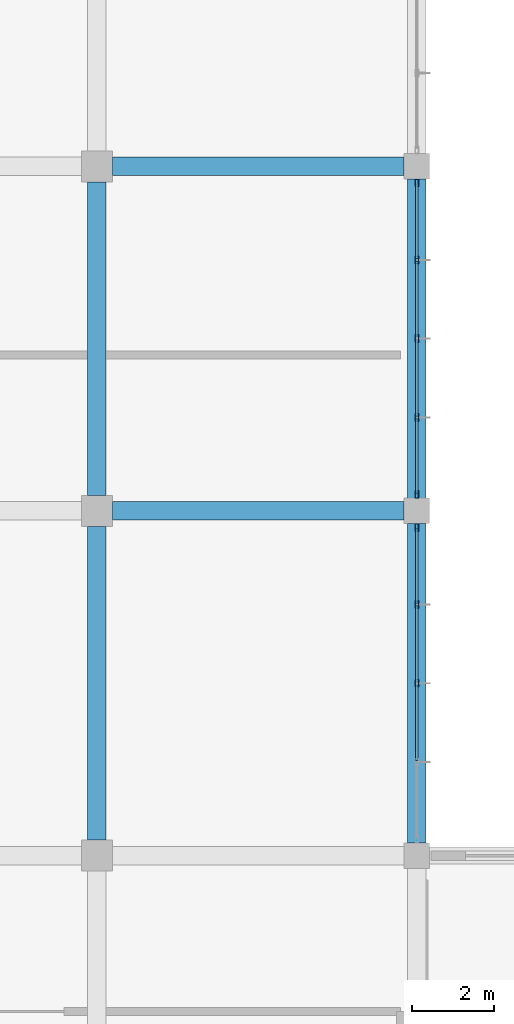
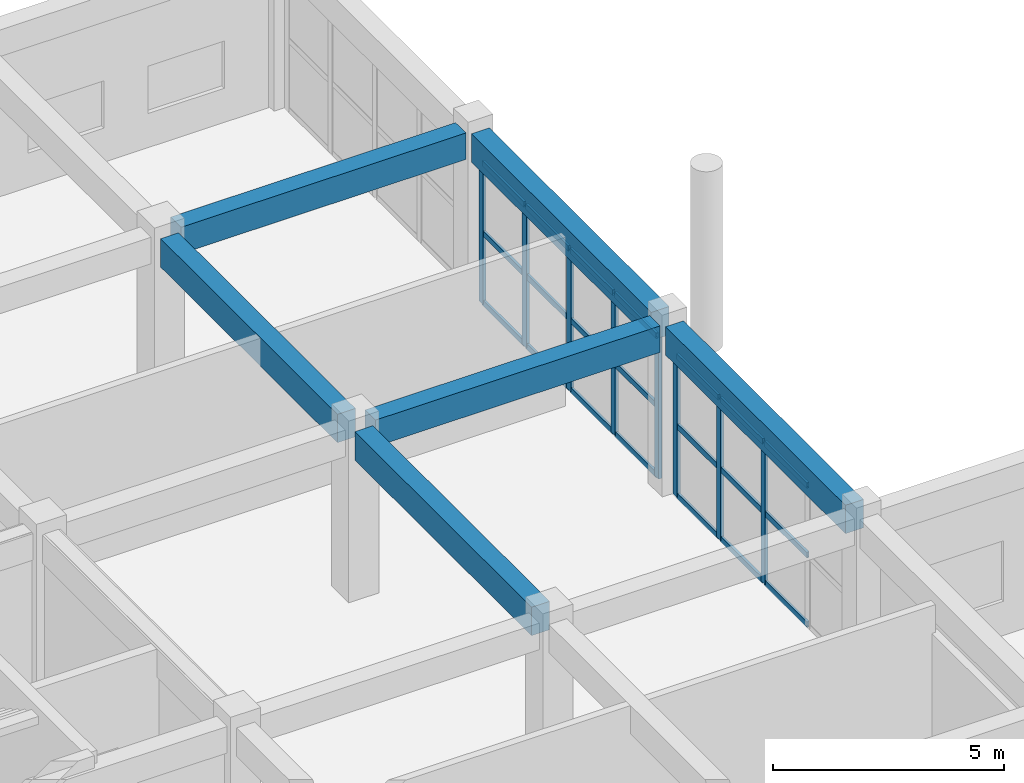
# One storey, part 106 of 167: 29 members, 6 beams, 2 elements without a shape of their own.
"""IFC4 building model written with IfcOpenShell, lengths in metres."""

from ifc_helpers import new_model, si_unit, direction, frame, origin, origin_2d, place, context, subcontext, project, spatial, rectangle, hollow_rectangle, extrude, material, layer, layer_set, material_profile, profile_set, type_object, element, aggregate, save


model = new_model("IFC4")

# Units and contexts
model_context = context("Model", 3, precision=1e-05, world=origin(), true_north=direction((0.0, 1.0)))
body_context = subcontext(model_context, "Body", "Model", "MODEL_VIEW")
ifc_project = project(units=[si_unit("LENGTHUNIT", "METRE"), si_unit("AREAUNIT", "SQUARE_METRE"), si_unit("VOLUMEUNIT", "CUBIC_METRE"), si_unit("PLANEANGLEUNIT", "RADIAN"), si_unit("MASSUNIT", "GRAM", prefix="KILO")], contexts=[model_context])

# Site, building, storey
site_placement = place(None, origin())
site = spatial("IfcSite", under=ifc_project, at=site_placement, CompositionType="ELEMENT")
building_placement = place(site_placement, origin())
building = spatial("IfcBuilding", under=site, at=building_placement, Name="Zizhar Promenade General Hospital", CompositionType="ELEMENT")
storey_placement = place(building_placement, frame((0.0, 0.0, 9.60009765625)))
storey = spatial("IfcBuildingStorey", under=building, at=storey_placement, Name="L02", CompositionType="ELEMENT", Elevation=9.60009765625)

# Beams
ifc_material_1 = material(Name="Concrete C35/45", Category="concrete")
ifc_material_profile_1 = material_profile(ifc_material_1, rectangle(XDim=0.449951171875, YDim=0.699951171875, at=origin_2d()))
ifc_profile_set_1 = profile_set([ifc_material_profile_1], Name="Concrete C35/45")
beam_type_1 = type_object("IfcBeamType", Name="BM-RC-450x700", PredefinedType="BEAM", material=ifc_profile_set_1)
for number, where, z_axis, x_axis, name in (
    (1, (125.175048828125, 117.60009765625, 4.119873046875), (1.0, 0.0, 0.0), (0.0, 1.0, 0.0), "Grid Beam X L02 (16-14)"),
    (2, (125.175048828125, 126.0, 4.119873046875), (1.0, 0.0, 0.0), (0.0, 1.0, 0.0), "Grid Beam X L02 (16-15)"),
):
    element("IfcBeam", number, at=place(storey_placement, frame(where, z_axis=z_axis, x_axis=x_axis)), inside=storey, type_object=beam_type_1, Name=name, PredefinedType="BEAM", context=body_context, shape_type="SweptSolid", body=[
        extrude(rectangle(XDim=0.449951171875, YDim=0.699951171875, at=origin_2d()), origin(), (0.0, 0.0, 1.0), 7.114990234375),
    ])
ifc_material_2 = material(Name="Concrete C35/45", Category="concrete")
ifc_material_profile_2 = material_profile(ifc_material_2, rectangle(XDim=0.449951171875, YDim=0.75, at=origin_2d()))
ifc_profile_set_2 = profile_set([ifc_material_profile_2], Name="Concrete C35/45")
beam_type_2 = type_object("IfcBeamType", Name="BM-RC-450x750", PredefinedType="BEAM", material=ifc_profile_set_2)
beam_1_placement = place(storey_placement, frame((124.800048828125, 109.574951171875, 4.094970703125), z_axis=(0.0, 1.0, 0.0), x_axis=(-1.0, 0.0, 0.0)))
element("IfcBeam", 3, at=beam_1_placement, inside=storey, type_object=beam_type_2, Name="Grid Beam Y L02 (16-13)", PredefinedType="BEAM", context=body_context, shape_type="SweptSolid", body=[
    extrude(rectangle(XDim=0.449951171875, YDim=0.75, at=origin_2d()), origin(), (0.0, 0.0, 1.0), 7.650146484375),
])
beam_2_placement = place(storey_placement, frame((124.800048828125, 117.97509765625, 4.094970703125), z_axis=(0.0, 1.0, 0.0), x_axis=(-1.0, 0.0, 0.0)))
element("IfcBeam", 4, at=beam_2_placement, inside=storey, type_object=beam_type_2, Name="Grid Beam Y L02 (16-14)", PredefinedType="BEAM", context=body_context, shape_type="SweptSolid", body=[
    extrude(rectangle(XDim=0.449951171875, YDim=0.75, at=origin_2d()), origin(), (0.0, 0.0, 1.0), 7.64990234375),
])
for number, where, z_axis, x_axis, name in (
    (5, (132.60009765625, 109.510009765625, 4.094970703125), (0.0, 1.0, 0.0), (-1.0, 0.0, 0.0), "Grid Beam Y L02 (17-13)"),
    (6, (132.60009765625, 117.909912109375, 4.094970703125), (0.0, 1.0, 0.0), (-1.0, 0.0, 0.0), "Grid Beam Y L02 (17-14)"),
):
    element("IfcBeam", number, at=place(storey_placement, frame(where, z_axis=z_axis, x_axis=x_axis)), inside=storey, type_object=beam_type_2, Name=name, PredefinedType="BEAM", context=body_context, shape_type="SweptSolid", body=[
        extrude(rectangle(XDim=0.449951171875, YDim=0.75, at=origin_2d()), origin(), (0.0, 0.0, 1.0), 7.780029296875),
    ])

# Curtain wall, members
ifc_material_3 = material(Name="Anodised aluminium 6063-T6 and low-E glass", Category="aluminium")
ifc_layer = layer(ifc_material_3, 0.159912109375)
ifc_layer_set = layer_set([ifc_layer], Name="Anodised aluminium 6063-T6 and low-E glass")
curtain_wall_type = type_object("IfcCurtainWallType", Name="CW-DT-MOD1", PredefinedType="NOTDEFINED", material=ifc_layer_set)
curtain_wall_1_placement = place(storey_placement, origin())
curtain_wall_1 = element("IfcCurtainWall", 7, at=curtain_wall_1_placement, inside=storey, type_object=curtain_wall_type, Name="Surgical East Glazed Curtain Wall L02-13", PredefinedType="NOTDEFINED")
ifc_material_4 = material(Name="Anodised aluminium 6063-T6", Category="aluminium")
ifc_material_profile_3 = material_profile(ifc_material_4, hollow_rectangle(XDim=0.080078125, YDim=0.179931640625, WallThickness=0.0048828125, at=origin_2d()))
ifc_profile_set_3 = profile_set([ifc_material_profile_3], Name="Anodised aluminium 6063-T6")
member_type_1 = type_object("IfcMemberType", Name="CWM-ALU-180x80", PredefinedType="MULLION", material=ifc_profile_set_3)
member_1_placement = place(storey_placement, frame((132.60009765625, 117.199951171875, 0.0), z_axis=(0.0, 0.0, 1.0), x_axis=(1.0, 0.0, 0.0)))
member_1 = element("IfcMember", 8, at=member_1_placement, type_object=member_type_1, Name="CW-07 mullion 1", PredefinedType="MULLION", context=body_context, shape_type="SweptSolid", body=[
    extrude(hollow_rectangle(XDim=0.080078125, YDim=0.179931640625, WallThickness=0.0048828125, at=origin_2d()), origin(), (0.0, 0.0, 1.0), 3.72998046875),
])
member_2_placement = place(storey_placement, frame((132.60009765625, 115.320068359375, 0.0), z_axis=(0.0, 0.0, 1.0), x_axis=(1.0, 0.0, 0.0)))
member_2 = element("IfcMember", 9, at=member_2_placement, type_object=member_type_1, Name="CW-07 mullion 2", PredefinedType="MULLION", context=body_context, shape_type="SweptSolid", body=[
    extrude(hollow_rectangle(XDim=0.080078125, YDim=0.179931640625, WallThickness=0.0048828125, at=origin_2d()), origin(), (0.0, 0.0, 1.0), 3.72998046875),
])
member_3_placement = place(storey_placement, frame((132.60009765625, 113.39990234375, 0.0), z_axis=(0.0, 0.0, 1.0), x_axis=(1.0, 0.0, 0.0)))
member_3 = element("IfcMember", 10, at=member_3_placement, type_object=member_type_1, Name="CW-07 mullion 3", PredefinedType="MULLION", context=body_context, shape_type="SweptSolid", body=[
    extrude(hollow_rectangle(XDim=0.080078125, YDim=0.179931640625, WallThickness=0.0048828125, at=origin_2d()), origin(), (0.0, 0.0, 1.0), 3.72998046875),
])

curtain_wall_2_placement = place(storey_placement, origin())
curtain_wall_2 = element("IfcCurtainWall", 11, at=curtain_wall_2_placement, inside=storey, type_object=curtain_wall_type, Name="Surgical East Glazed Curtain Wall L02-14", PredefinedType="NOTDEFINED")
member_4_placement = place(storey_placement, frame((132.60009765625, 125.60009765625, 0.0), z_axis=(0.0, 0.0, 1.0), x_axis=(1.0, 0.0, 0.0)))
member_4 = element("IfcMember", 12, at=member_4_placement, type_object=member_type_1, Name="CW-07 mullion 1", PredefinedType="MULLION", context=body_context, shape_type="SweptSolid", body=[
    extrude(hollow_rectangle(XDim=0.080078125, YDim=0.179931640625, WallThickness=0.0048828125, at=origin_2d()), origin(), (0.0, 0.0, 1.0), 3.72998046875),
])
member_5_placement = place(storey_placement, frame((132.60009765625, 123.719970703125, 0.0), z_axis=(0.0, 0.0, 1.0), x_axis=(1.0, 0.0, 0.0)))
member_5 = element("IfcMember", 13, at=member_5_placement, type_object=member_type_1, Name="CW-07 mullion 2", PredefinedType="MULLION", context=body_context, shape_type="SweptSolid", body=[
    extrude(hollow_rectangle(XDim=0.080078125, YDim=0.179931640625, WallThickness=0.0048828125, at=origin_2d()), origin(), (0.0, 0.0, 1.0), 3.72998046875),
])
member_6_placement = place(storey_placement, frame((132.60009765625, 121.800048828125, 0.0), z_axis=(0.0, 0.0, 1.0), x_axis=(1.0, 0.0, 0.0)))
member_6 = element("IfcMember", 14, at=member_6_placement, type_object=member_type_1, Name="CW-07 mullion 3", PredefinedType="MULLION", context=body_context, shape_type="SweptSolid", body=[
    extrude(hollow_rectangle(XDim=0.080078125, YDim=0.179931640625, WallThickness=0.0048828125, at=origin_2d()), origin(), (0.0, 0.0, 1.0), 3.72998046875),
])
member_7_placement = place(storey_placement, frame((132.60009765625, 119.8798828125, 0.0), z_axis=(0.0, 0.0, 1.0), x_axis=(1.0, 0.0, 0.0)))
member_7 = element("IfcMember", 15, at=member_7_placement, type_object=member_type_1, Name="CW-07 mullion 4", PredefinedType="MULLION", context=body_context, shape_type="SweptSolid", body=[
    extrude(hollow_rectangle(XDim=0.080078125, YDim=0.179931640625, WallThickness=0.0048828125, at=origin_2d()), origin(), (0.0, 0.0, 1.0), 3.72998046875),
])
member_8_placement = place(storey_placement, frame((132.60009765625, 118.0, 0.0), z_axis=(0.0, 0.0, 1.0), x_axis=(1.0, 0.0, 0.0)))
member_8 = element("IfcMember", 16, at=member_8_placement, type_object=member_type_1, Name="CW-07 mullion 5", PredefinedType="MULLION", context=body_context, shape_type="SweptSolid", body=[
    extrude(hollow_rectangle(XDim=0.080078125, YDim=0.179931640625, WallThickness=0.0048828125, at=origin_2d()), origin(), (0.0, 0.0, 1.0), 3.72998046875),
])

# Member
ifc_material_5 = material(Name="Anodised aluminium 6063-T6", Category="aluminium")
ifc_material_profile_4 = material_profile(ifc_material_5, hollow_rectangle(XDim=0.06005859375, YDim=0.14990234375, WallThickness=0.00390625, at=origin_2d()))
ifc_profile_set_4 = profile_set([ifc_material_profile_4], Name="Anodised aluminium 6063-T6")
member_type_2 = type_object("IfcMemberType", Name="CWT-ALU-150x60", PredefinedType="USERDEFINED", material=ifc_profile_set_4)
member_9_placement = place(storey_placement, frame((132.60009765625, 117.159912109375, 0.02978515625), z_axis=(0.0, -1.0, 0.0), x_axis=(1.0, 0.0, 0.0)))
member_9 = element("IfcMember", 17, at=member_9_placement, type_object=member_type_2, Name="CW-07 transom 1.1", ObjectType="TRANSOM", PredefinedType="USERDEFINED", context=body_context, shape_type="SweptSolid", body=[
    extrude(hollow_rectangle(XDim=0.06005859375, YDim=0.14990234375, WallThickness=0.00390625, at=origin_2d()), origin(), (0.0, 0.0, 1.0), 1.7998046875),
])

member_10_placement = place(storey_placement, frame((132.60009765625, 117.159912109375, 1.864990234375), z_axis=(0.0, -1.0, 0.0), x_axis=(1.0, 0.0, 0.0)))
member_10 = element("IfcMember", 18, at=member_10_placement, type_object=member_type_2, Name="CW-07 transom 1.2", ObjectType="TRANSOM", PredefinedType="USERDEFINED", context=body_context, shape_type="SweptSolid", body=[
    extrude(hollow_rectangle(XDim=0.06005859375, YDim=0.14990234375, WallThickness=0.00390625, at=origin_2d()), origin(), (0.0, 0.0, 1.0), 1.7998046875),
])

member_11_placement = place(storey_placement, frame((132.60009765625, 117.159912109375, 3.699951171875), z_axis=(0.0, -1.0, 0.0), x_axis=(1.0, 0.0, 0.0)))
member_11 = element("IfcMember", 19, at=member_11_placement, type_object=member_type_2, Name="CW-07 transom 1.3", ObjectType="TRANSOM", PredefinedType="USERDEFINED", context=body_context, shape_type="SweptSolid", body=[
    extrude(hollow_rectangle(XDim=0.06005859375, YDim=0.14990234375, WallThickness=0.00390625, at=origin_2d()), origin(), (0.0, 0.0, 1.0), 1.7998046875),
])

member_12_placement = place(storey_placement, frame((132.60009765625, 115.280029296875, 0.02978515625), z_axis=(0.0, -1.0, 0.0), x_axis=(1.0, 0.0, 0.0)))
member_12 = element("IfcMember", 20, at=member_12_placement, type_object=member_type_2, Name="CW-07 transom 2.1", ObjectType="TRANSOM", PredefinedType="USERDEFINED", context=body_context, shape_type="SweptSolid", body=[
    extrude(hollow_rectangle(XDim=0.06005859375, YDim=0.14990234375, WallThickness=0.00390625, at=origin_2d()), origin(), (0.0, 0.0, 1.0), 1.840087890625),
])

member_13_placement = place(storey_placement, frame((132.60009765625, 115.280029296875, 1.864990234375), z_axis=(0.0, -1.0, 0.0), x_axis=(1.0, 0.0, 0.0)))
member_13 = element("IfcMember", 21, at=member_13_placement, type_object=member_type_2, Name="CW-07 transom 2.2", ObjectType="TRANSOM", PredefinedType="USERDEFINED", context=body_context, shape_type="SweptSolid", body=[
    extrude(hollow_rectangle(XDim=0.06005859375, YDim=0.14990234375, WallThickness=0.00390625, at=origin_2d()), origin(), (0.0, 0.0, 1.0), 1.840087890625),
])

member_14_placement = place(storey_placement, frame((132.60009765625, 115.280029296875, 3.699951171875), z_axis=(0.0, -1.0, 0.0), x_axis=(1.0, 0.0, 0.0)))
member_14 = element("IfcMember", 22, at=member_14_placement, type_object=member_type_2, Name="CW-07 transom 2.3", ObjectType="TRANSOM", PredefinedType="USERDEFINED", context=body_context, shape_type="SweptSolid", body=[
    extrude(hollow_rectangle(XDim=0.06005859375, YDim=0.14990234375, WallThickness=0.00390625, at=origin_2d()), origin(), (0.0, 0.0, 1.0), 1.840087890625),
])

member_15_placement = place(storey_placement, frame((132.60009765625, 113.360107421875, 0.02978515625), z_axis=(0.0, -1.0, 0.0), x_axis=(1.0, 0.0, 0.0)))
member_15 = element("IfcMember", 23, at=member_15_placement, type_object=member_type_2, Name="CW-07 transom 3.1", ObjectType="TRANSOM", PredefinedType="USERDEFINED", context=body_context, shape_type="SweptSolid", body=[
    extrude(hollow_rectangle(XDim=0.06005859375, YDim=0.14990234375, WallThickness=0.00390625, at=origin_2d()), origin(), (0.0, 0.0, 1.0), 1.840087890625),
])

member_16_placement = place(storey_placement, frame((132.60009765625, 113.360107421875, 1.864990234375), z_axis=(0.0, -1.0, 0.0), x_axis=(1.0, 0.0, 0.0)))
member_16 = element("IfcMember", 24, at=member_16_placement, type_object=member_type_2, Name="CW-07 transom 3.2", ObjectType="TRANSOM", PredefinedType="USERDEFINED", context=body_context, shape_type="SweptSolid", body=[
    extrude(hollow_rectangle(XDim=0.06005859375, YDim=0.14990234375, WallThickness=0.00390625, at=origin_2d()), origin(), (0.0, 0.0, 1.0), 1.840087890625),
])

member_17_placement = place(storey_placement, frame((132.60009765625, 113.360107421875, 3.699951171875), z_axis=(0.0, -1.0, 0.0), x_axis=(1.0, 0.0, 0.0)))
member_17 = element("IfcMember", 25, at=member_17_placement, type_object=member_type_2, Name="CW-07 transom 3.3", ObjectType="TRANSOM", PredefinedType="USERDEFINED", context=body_context, shape_type="SweptSolid", body=[
    extrude(hollow_rectangle(XDim=0.06005859375, YDim=0.14990234375, WallThickness=0.00390625, at=origin_2d()), origin(), (0.0, 0.0, 1.0), 1.840087890625),
])

aggregate(curtain_wall_1, [member_1, member_2, member_3, member_9, member_10, member_11, member_12, member_13, member_14, member_15, member_16, member_17])

member_18_placement = place(storey_placement, frame((132.60009765625, 125.56005859375, 0.02978515625), z_axis=(0.0, -1.0, 0.0), x_axis=(1.0, 0.0, 0.0)))
member_18 = element("IfcMember", 26, at=member_18_placement, type_object=member_type_2, Name="CW-07 transom 1.1", ObjectType="TRANSOM", PredefinedType="USERDEFINED", context=body_context, shape_type="SweptSolid", body=[
    extrude(hollow_rectangle(XDim=0.06005859375, YDim=0.14990234375, WallThickness=0.00390625, at=origin_2d()), origin(), (0.0, 0.0, 1.0), 1.800048828125),
])

member_19_placement = place(storey_placement, frame((132.60009765625, 125.56005859375, 1.864990234375), z_axis=(0.0, -1.0, 0.0), x_axis=(1.0, 0.0, 0.0)))
member_19 = element("IfcMember", 27, at=member_19_placement, type_object=member_type_2, Name="CW-07 transom 1.2", ObjectType="TRANSOM", PredefinedType="USERDEFINED", context=body_context, shape_type="SweptSolid", body=[
    extrude(hollow_rectangle(XDim=0.06005859375, YDim=0.14990234375, WallThickness=0.00390625, at=origin_2d()), origin(), (0.0, 0.0, 1.0), 1.800048828125),
])

member_20_placement = place(storey_placement, frame((132.60009765625, 125.56005859375, 3.699951171875), z_axis=(0.0, -1.0, 0.0), x_axis=(1.0, 0.0, 0.0)))
member_20 = element("IfcMember", 28, at=member_20_placement, type_object=member_type_2, Name="CW-07 transom 1.3", ObjectType="TRANSOM", PredefinedType="USERDEFINED", context=body_context, shape_type="SweptSolid", body=[
    extrude(hollow_rectangle(XDim=0.06005859375, YDim=0.14990234375, WallThickness=0.00390625, at=origin_2d()), origin(), (0.0, 0.0, 1.0), 1.800048828125),
])

member_21_placement = place(storey_placement, frame((132.60009765625, 123.679931640625, 0.02978515625), z_axis=(0.0, -1.0, 0.0), x_axis=(1.0, 0.0, 0.0)))
member_21 = element("IfcMember", 29, at=member_21_placement, type_object=member_type_2, Name="CW-07 transom 2.1", ObjectType="TRANSOM", PredefinedType="USERDEFINED", context=body_context, shape_type="SweptSolid", body=[
    extrude(hollow_rectangle(XDim=0.06005859375, YDim=0.14990234375, WallThickness=0.00390625, at=origin_2d()), origin(), (0.0, 0.0, 1.0), 1.83984375),
])

member_22_placement = place(storey_placement, frame((132.60009765625, 123.679931640625, 1.864990234375), z_axis=(0.0, -1.0, 0.0), x_axis=(1.0, 0.0, 0.0)))
member_22 = element("IfcMember", 30, at=member_22_placement, type_object=member_type_2, Name="CW-07 transom 2.2", ObjectType="TRANSOM", PredefinedType="USERDEFINED", context=body_context, shape_type="SweptSolid", body=[
    extrude(hollow_rectangle(XDim=0.06005859375, YDim=0.14990234375, WallThickness=0.00390625, at=origin_2d()), origin(), (0.0, 0.0, 1.0), 1.83984375),
])

member_23_placement = place(storey_placement, frame((132.60009765625, 123.679931640625, 3.699951171875), z_axis=(0.0, -1.0, 0.0), x_axis=(1.0, 0.0, 0.0)))
member_23 = element("IfcMember", 31, at=member_23_placement, type_object=member_type_2, Name="CW-07 transom 2.3", ObjectType="TRANSOM", PredefinedType="USERDEFINED", context=body_context, shape_type="SweptSolid", body=[
    extrude(hollow_rectangle(XDim=0.06005859375, YDim=0.14990234375, WallThickness=0.00390625, at=origin_2d()), origin(), (0.0, 0.0, 1.0), 1.83984375),
])

member_24_placement = place(storey_placement, frame((132.60009765625, 121.760009765625, 0.02978515625), z_axis=(0.0, -1.0, 0.0), x_axis=(1.0, 0.0, 0.0)))
member_24 = element("IfcMember", 32, at=member_24_placement, type_object=member_type_2, Name="CW-07 transom 3.1", ObjectType="TRANSOM", PredefinedType="USERDEFINED", context=body_context, shape_type="SweptSolid", body=[
    extrude(hollow_rectangle(XDim=0.06005859375, YDim=0.14990234375, WallThickness=0.00390625, at=origin_2d()), origin(), (0.0, 0.0, 1.0), 1.840087890625),
])

member_25_placement = place(storey_placement, frame((132.60009765625, 121.760009765625, 1.864990234375), z_axis=(0.0, -1.0, 0.0), x_axis=(1.0, 0.0, 0.0)))
member_25 = element("IfcMember", 33, at=member_25_placement, type_object=member_type_2, Name="CW-07 transom 3.2", ObjectType="TRANSOM", PredefinedType="USERDEFINED", context=body_context, shape_type="SweptSolid", body=[
    extrude(hollow_rectangle(XDim=0.06005859375, YDim=0.14990234375, WallThickness=0.00390625, at=origin_2d()), origin(), (0.0, 0.0, 1.0), 1.840087890625),
])

member_26_placement = place(storey_placement, frame((132.60009765625, 121.760009765625, 3.699951171875), z_axis=(0.0, -1.0, 0.0), x_axis=(1.0, 0.0, 0.0)))
member_26 = element("IfcMember", 34, at=member_26_placement, type_object=member_type_2, Name="CW-07 transom 3.3", ObjectType="TRANSOM", PredefinedType="USERDEFINED", context=body_context, shape_type="SweptSolid", body=[
    extrude(hollow_rectangle(XDim=0.06005859375, YDim=0.14990234375, WallThickness=0.00390625, at=origin_2d()), origin(), (0.0, 0.0, 1.0), 1.840087890625),
])

member_27_placement = place(storey_placement, frame((132.60009765625, 119.840087890625, 0.02978515625), z_axis=(0.0, -1.0, 0.0), x_axis=(1.0, 0.0, 0.0)))
member_27 = element("IfcMember", 35, at=member_27_placement, type_object=member_type_2, Name="CW-07 transom 4.1", ObjectType="TRANSOM", PredefinedType="USERDEFINED", context=body_context, shape_type="SweptSolid", body=[
    extrude(hollow_rectangle(XDim=0.06005859375, YDim=0.14990234375, WallThickness=0.00390625, at=origin_2d()), origin(), (0.0, 0.0, 1.0), 1.800048828125),
])

member_28_placement = place(storey_placement, frame((132.60009765625, 119.840087890625, 1.864990234375), z_axis=(0.0, -1.0, 0.0), x_axis=(1.0, 0.0, 0.0)))
member_28 = element("IfcMember", 36, at=member_28_placement, type_object=member_type_2, Name="CW-07 transom 4.2", ObjectType="TRANSOM", PredefinedType="USERDEFINED", context=body_context, shape_type="SweptSolid", body=[
    extrude(hollow_rectangle(XDim=0.06005859375, YDim=0.14990234375, WallThickness=0.00390625, at=origin_2d()), origin(), (0.0, 0.0, 1.0), 1.800048828125),
])

member_29_placement = place(storey_placement, frame((132.60009765625, 119.840087890625, 3.699951171875), z_axis=(0.0, -1.0, 0.0), x_axis=(1.0, 0.0, 0.0)))
member_29 = element("IfcMember", 37, at=member_29_placement, type_object=member_type_2, Name="CW-07 transom 4.3", ObjectType="TRANSOM", PredefinedType="USERDEFINED", context=body_context, shape_type="SweptSolid", body=[
    extrude(hollow_rectangle(XDim=0.06005859375, YDim=0.14990234375, WallThickness=0.00390625, at=origin_2d()), origin(), (0.0, 0.0, 1.0), 1.800048828125),
])

aggregate(curtain_wall_2, [member_4, member_5, member_6, member_7, member_8, member_18, member_19, member_20, member_21, member_22, member_23, member_24, member_25, member_26, member_27, member_28, member_29])

save(model, "model.ifc")
